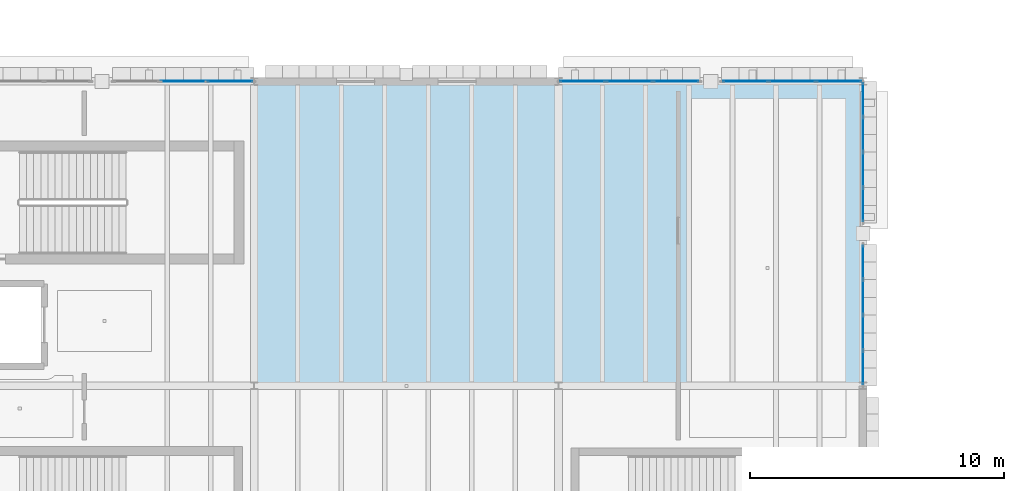
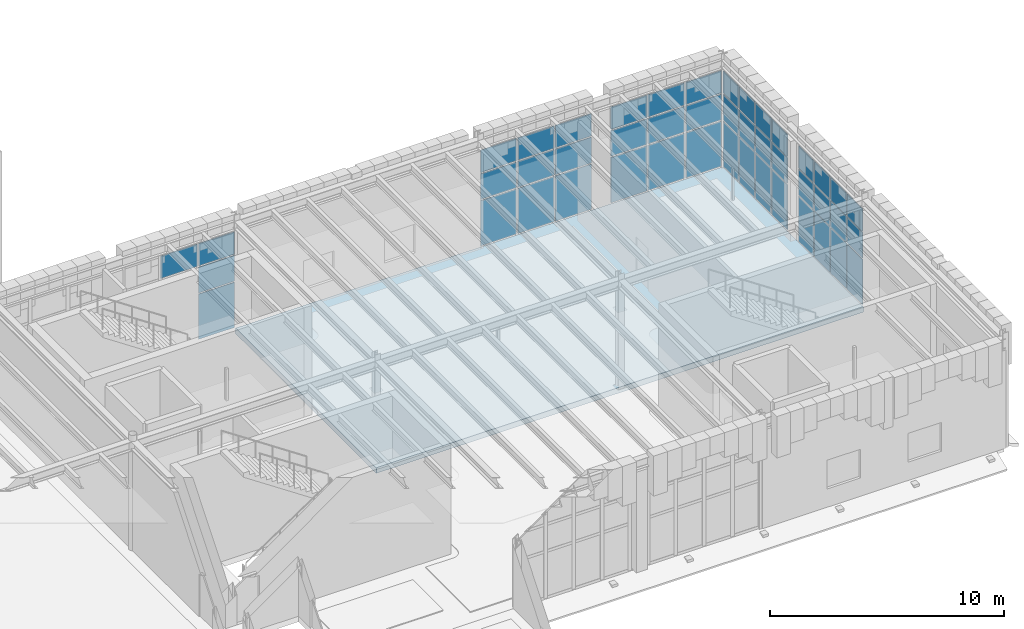
# One storey, part 43 of 83: 46 plates, 1 slab, 5 elements without a shape of their own.
"""IFC4 building model written with IfcOpenShell, lengths in metres."""

from ifc_helpers import new_model, si_unit, direction, frame, origin, origin_2d, place, context, subcontext, project, spatial, polyline, rectangle, outline, extrude, material, layer, layer_set, type_object, element, aggregate, save


model = new_model("IFC4")

# Units and contexts
model_context = context("Model", 3, precision=1e-05, world=origin(), true_north=direction((0.0, 1.0)))
body_context = subcontext(model_context, "Body", "Model", "MODEL_VIEW")
ifc_project = project(units=[si_unit("LENGTHUNIT", "METRE"), si_unit("AREAUNIT", "SQUARE_METRE"), si_unit("VOLUMEUNIT", "CUBIC_METRE"), si_unit("PLANEANGLEUNIT", "RADIAN"), si_unit("MASSUNIT", "GRAM", prefix="KILO")], contexts=[model_context])

# Site, building, storey
site_placement = place(None, origin())
site = spatial("IfcSite", under=ifc_project, at=site_placement, CompositionType="ELEMENT")
building_placement = place(site_placement, origin())
building = spatial("IfcBuilding", under=site, at=building_placement, Name="Zlatogorsky Bluff Art Gallery", CompositionType="ELEMENT")
storey_placement = place(building_placement, frame((0.0, 0.0, 10.800048828125)))
storey = spatial("IfcBuildingStorey", under=building, at=storey_placement, Name="L02", CompositionType="ELEMENT", Elevation=10.800048828125)

# Curtain wall, plates
ifc_material_1 = material(Name="Anodised Bronze Aluminium and Low-Iron Triple Glazing", Category="aluminium")
ifc_layer_1 = layer(ifc_material_1, 0.219970703125)
ifc_layer_set_1 = layer_set([ifc_layer_1], Name="Curtain Wall CW-04")
curtain_wall_type_1 = type_object("IfcCurtainWallType", Name="Curtain Wall CW-04", PredefinedType="USERDEFINED", material=ifc_layer_set_1)
curtain_wall_1_placement = place(storey_placement, origin())
curtain_wall_1 = element("IfcCurtainWall", 1, at=curtain_wall_1_placement, inside=storey, type_object=curtain_wall_type_1, Name="Unitised curtain wall CW-04 L02 N 10.9-A", ObjectType="CURTAIN WALL", PredefinedType="USERDEFINED")
ifc_material_2 = material(Name="Low-Iron Laminated Triple Glazing", Category="glass")
ifc_layer_2 = layer(ifc_material_2, 0.035888671875)
ifc_layer_set_2 = layer_set([ifc_layer_2], Name="Glazed Curtain Panel CWP-01")
plate_type = type_object("IfcPlateType", Name="Glazed Curtain Panel CWP-01", PredefinedType="CURTAIN_PANEL", material=ifc_layer_set_2)
plate_1_placement = place(storey_placement, frame((131.0537109375, 108.0, 0.06494140625), z_axis=(0.0, 0.0, 1.0), x_axis=(-1.0, 0.0, 0.0)))
plate_1 = element("IfcPlate", 2, at=plate_1_placement, type_object=plate_type, Name="CW-04 panel 1.1", PredefinedType="CURTAIN_PANEL", context=body_context, shape_type="SweptSolid", body=[
    extrude(rectangle(XDim=1.762451171875, YDim=0.035888671875, at=origin_2d()), origin(), (0.0, 0.0, 1.0), 2.3525390625),
])
plate_2_placement = place(storey_placement, frame((131.0537109375, 108.0, 2.482421875), z_axis=(0.0, 0.0, 1.0), x_axis=(-1.0, 0.0, 0.0)))
plate_2 = element("IfcPlate", 3, at=plate_2_placement, type_object=plate_type, Name="CW-04 panel 1.2", PredefinedType="CURTAIN_PANEL", context=body_context, shape_type="SweptSolid", body=[
    extrude(rectangle(XDim=1.762451171875, YDim=0.035888671875, at=origin_2d()), origin(), (0.0, 0.0, 1.0), 1.3349609375),
])
plate_3_placement = place(storey_placement, frame((131.0537109375, 108.0, 3.88232421875), z_axis=(0.0, 0.0, 1.0), x_axis=(-1.0, 0.0, 0.0)))
plate_3 = element("IfcPlate", 4, at=plate_3_placement, type_object=plate_type, Name="CW-04 panel 1.3", PredefinedType="CURTAIN_PANEL", context=body_context, shape_type="SweptSolid", body=[
    extrude(rectangle(XDim=1.762451171875, YDim=0.035888671875, at=origin_2d()), origin(), (0.0, 0.0, 1.0), 1.16259765625),
])
plate_4_placement = place(storey_placement, frame((129.2099609375, 108.0, 3.88232421875), z_axis=(0.0, 0.0, 1.0), x_axis=(-1.0, 0.0, 0.0)))
plate_4 = element("IfcPlate", 5, at=plate_4_placement, type_object=plate_type, Name="CW-04 panel 2.3", PredefinedType="CURTAIN_PANEL", context=body_context, shape_type="SweptSolid", body=[
    extrude(rectangle(XDim=1.794921875, YDim=0.035888671875, at=origin_2d()), origin(), (0.0, 0.0, 1.0), 1.16259765625),
])
aggregate(curtain_wall_1, [plate_1, plate_2, plate_3, plate_4])

curtain_wall_2_placement = place(storey_placement, origin())
curtain_wall_2 = element("IfcCurtainWall", 6, at=curtain_wall_2_placement, inside=storey, type_object=curtain_wall_type_1, Name="Unitised curtain wall CW-04 L02 N 12.9-A", ObjectType="CURTAIN WALL", PredefinedType="USERDEFINED")
plate_5_placement = place(storey_placement, frame((155.0537109375, 108.0, 0.06494140625), z_axis=(0.0, 0.0, 1.0), x_axis=(-1.0, 0.0, 0.0)))
plate_5 = element("IfcPlate", 7, at=plate_5_placement, type_object=plate_type, Name="CW-04 panel 1.1", PredefinedType="CURTAIN_PANEL", context=body_context, shape_type="SweptSolid", body=[
    extrude(rectangle(XDim=1.762451171875, YDim=0.035888671875, at=origin_2d()), origin(), (0.0, 0.0, 1.0), 2.3525390625),
])
plate_6_placement = place(storey_placement, frame((155.0537109375, 108.0, 2.482421875), z_axis=(0.0, 0.0, 1.0), x_axis=(-1.0, 0.0, 0.0)))
plate_6 = element("IfcPlate", 8, at=plate_6_placement, type_object=plate_type, Name="CW-04 panel 1.2", PredefinedType="CURTAIN_PANEL", context=body_context, shape_type="SweptSolid", body=[
    extrude(rectangle(XDim=1.762451171875, YDim=0.035888671875, at=origin_2d()), origin(), (0.0, 0.0, 1.0), 1.3349609375),
])
plate_7_placement = place(storey_placement, frame((155.0537109375, 108.0, 3.88232421875), z_axis=(0.0, 0.0, 1.0), x_axis=(-1.0, 0.0, 0.0)))
plate_7 = element("IfcPlate", 9, at=plate_7_placement, type_object=plate_type, Name="CW-04 panel 1.3", PredefinedType="CURTAIN_PANEL", context=body_context, shape_type="SweptSolid", body=[
    extrude(rectangle(XDim=1.762451171875, YDim=0.035888671875, at=origin_2d()), origin(), (0.0, 0.0, 1.0), 1.16259765625),
])
plate_8_placement = place(storey_placement, frame((153.2099609375, 108.0, 0.06494140625), z_axis=(0.0, 0.0, 1.0), x_axis=(-1.0, 0.0, 0.0)))
plate_8 = element("IfcPlate", 10, at=plate_8_placement, type_object=plate_type, Name="CW-04 panel 2.1", PredefinedType="CURTAIN_PANEL", context=body_context, shape_type="SweptSolid", body=[
    extrude(rectangle(XDim=1.794921875, YDim=0.035888671875, at=origin_2d()), origin(), (0.0, 0.0, 1.0), 2.3525390625),
])
plate_9_placement = place(storey_placement, frame((153.2099609375, 108.0, 2.482421875), z_axis=(0.0, 0.0, 1.0), x_axis=(-1.0, 0.0, 0.0)))
plate_9 = element("IfcPlate", 11, at=plate_9_placement, type_object=plate_type, Name="CW-04 panel 2.2", PredefinedType="CURTAIN_PANEL", context=body_context, shape_type="SweptSolid", body=[
    extrude(rectangle(XDim=1.794921875, YDim=0.035888671875, at=origin_2d()), origin(), (0.0, 0.0, 1.0), 1.3349609375),
])
plate_10_placement = place(storey_placement, frame((153.2099609375, 108.0, 3.88232421875), z_axis=(0.0, 0.0, 1.0), x_axis=(-1.0, 0.0, 0.0)))
plate_10 = element("IfcPlate", 12, at=plate_10_placement, type_object=plate_type, Name="CW-04 panel 2.3", PredefinedType="CURTAIN_PANEL", context=body_context, shape_type="SweptSolid", body=[
    extrude(rectangle(XDim=1.794921875, YDim=0.035888671875, at=origin_2d()), origin(), (0.0, 0.0, 1.0), 1.16259765625),
])
plate_11_placement = place(storey_placement, frame((151.3662109375, 108.0, 0.06494140625), z_axis=(0.0, 0.0, 1.0), x_axis=(-1.0, 0.0, 0.0)))
plate_11 = element("IfcPlate", 13, at=plate_11_placement, type_object=plate_type, Name="CW-04 panel 3.1", PredefinedType="CURTAIN_PANEL", context=body_context, shape_type="SweptSolid", body=[
    extrude(rectangle(XDim=1.762451171875, YDim=0.035888671875, at=origin_2d()), origin(), (0.0, 0.0, 1.0), 2.3525390625),
])
plate_12_placement = place(storey_placement, frame((151.3662109375, 108.0, 2.482421875), z_axis=(0.0, 0.0, 1.0), x_axis=(-1.0, 0.0, 0.0)))
plate_12 = element("IfcPlate", 14, at=plate_12_placement, type_object=plate_type, Name="CW-04 panel 3.2", PredefinedType="CURTAIN_PANEL", context=body_context, shape_type="SweptSolid", body=[
    extrude(rectangle(XDim=1.762451171875, YDim=0.035888671875, at=origin_2d()), origin(), (0.0, 0.0, 1.0), 1.3349609375),
])
plate_13_placement = place(storey_placement, frame((151.3662109375, 108.0, 3.88232421875), z_axis=(0.0, 0.0, 1.0), x_axis=(-1.0, 0.0, 0.0)))
plate_13 = element("IfcPlate", 15, at=plate_13_placement, type_object=plate_type, Name="CW-04 panel 3.3", PredefinedType="CURTAIN_PANEL", context=body_context, shape_type="SweptSolid", body=[
    extrude(rectangle(XDim=1.762451171875, YDim=0.035888671875, at=origin_2d()), origin(), (0.0, 0.0, 1.0), 1.16259765625),
])
aggregate(curtain_wall_2, [plate_5, plate_6, plate_7, plate_8, plate_9, plate_10, plate_11, plate_12, plate_13])

curtain_wall_3_placement = place(storey_placement, origin())
curtain_wall_3 = element("IfcCurtainWall", 16, at=curtain_wall_3_placement, inside=storey, type_object=curtain_wall_type_1, Name="Unitised curtain wall CW-04 L02 N 12.9-B", ObjectType="CURTAIN WALL", PredefinedType="USERDEFINED")
plate_14_placement = place(storey_placement, frame((148.6337890625, 108.0, 0.06494140625), z_axis=(0.0, 0.0, 1.0), x_axis=(-1.0, 0.0, 0.0)))
plate_14 = element("IfcPlate", 17, at=plate_14_placement, type_object=plate_type, Name="CW-04 panel 1.1", PredefinedType="CURTAIN_PANEL", context=body_context, shape_type="SweptSolid", body=[
    extrude(rectangle(XDim=1.762451171875, YDim=0.035888671875, at=origin_2d()), origin(), (0.0, 0.0, 1.0), 2.3525390625),
])
plate_15_placement = place(storey_placement, frame((148.6337890625, 108.0, 2.482421875), z_axis=(0.0, 0.0, 1.0), x_axis=(-1.0, 0.0, 0.0)))
plate_15 = element("IfcPlate", 18, at=plate_15_placement, type_object=plate_type, Name="CW-04 panel 1.2", PredefinedType="CURTAIN_PANEL", context=body_context, shape_type="SweptSolid", body=[
    extrude(rectangle(XDim=1.762451171875, YDim=0.035888671875, at=origin_2d()), origin(), (0.0, 0.0, 1.0), 1.3349609375),
])
plate_16_placement = place(storey_placement, frame((148.6337890625, 108.0, 3.88232421875), z_axis=(0.0, 0.0, 1.0), x_axis=(-1.0, 0.0, 0.0)))
plate_16 = element("IfcPlate", 19, at=plate_16_placement, type_object=plate_type, Name="CW-04 panel 1.3", PredefinedType="CURTAIN_PANEL", context=body_context, shape_type="SweptSolid", body=[
    extrude(rectangle(XDim=1.762451171875, YDim=0.035888671875, at=origin_2d()), origin(), (0.0, 0.0, 1.0), 1.16259765625),
])
plate_17_placement = place(storey_placement, frame((146.7900390625, 108.0, 0.06494140625), z_axis=(0.0, 0.0, 1.0), x_axis=(-1.0, 0.0, 0.0)))
plate_17 = element("IfcPlate", 20, at=plate_17_placement, type_object=plate_type, Name="CW-04 panel 2.1", PredefinedType="CURTAIN_PANEL", context=body_context, shape_type="SweptSolid", body=[
    extrude(rectangle(XDim=1.794921875, YDim=0.035888671875, at=origin_2d()), origin(), (0.0, 0.0, 1.0), 2.3525390625),
])
plate_18_placement = place(storey_placement, frame((146.7900390625, 108.0, 2.482421875), z_axis=(0.0, 0.0, 1.0), x_axis=(-1.0, 0.0, 0.0)))
plate_18 = element("IfcPlate", 21, at=plate_18_placement, type_object=plate_type, Name="CW-04 panel 2.2", PredefinedType="CURTAIN_PANEL", context=body_context, shape_type="SweptSolid", body=[
    extrude(rectangle(XDim=1.794921875, YDim=0.035888671875, at=origin_2d()), origin(), (0.0, 0.0, 1.0), 1.3349609375),
])
plate_19_placement = place(storey_placement, frame((146.7900390625, 108.0, 3.88232421875), z_axis=(0.0, 0.0, 1.0), x_axis=(-1.0, 0.0, 0.0)))
plate_19 = element("IfcPlate", 22, at=plate_19_placement, type_object=plate_type, Name="CW-04 panel 2.3", PredefinedType="CURTAIN_PANEL", context=body_context, shape_type="SweptSolid", body=[
    extrude(rectangle(XDim=1.794921875, YDim=0.035888671875, at=origin_2d()), origin(), (0.0, 0.0, 1.0), 1.16259765625),
])
plate_20_placement = place(storey_placement, frame((144.9462890625, 108.0, 0.06494140625), z_axis=(0.0, 0.0, 1.0), x_axis=(-1.0, 0.0, 0.0)))
plate_20 = element("IfcPlate", 23, at=plate_20_placement, type_object=plate_type, Name="CW-04 panel 3.1", PredefinedType="CURTAIN_PANEL", context=body_context, shape_type="SweptSolid", body=[
    extrude(rectangle(XDim=1.762451171875, YDim=0.035888671875, at=origin_2d()), origin(), (0.0, 0.0, 1.0), 2.3525390625),
])
plate_21_placement = place(storey_placement, frame((144.9462890625, 108.0, 2.482421875), z_axis=(0.0, 0.0, 1.0), x_axis=(-1.0, 0.0, 0.0)))
plate_21 = element("IfcPlate", 24, at=plate_21_placement, type_object=plate_type, Name="CW-04 panel 3.2", PredefinedType="CURTAIN_PANEL", context=body_context, shape_type="SweptSolid", body=[
    extrude(rectangle(XDim=1.762451171875, YDim=0.035888671875, at=origin_2d()), origin(), (0.0, 0.0, 1.0), 1.3349609375),
])
plate_22_placement = place(storey_placement, frame((144.9462890625, 108.0, 3.88232421875), z_axis=(0.0, 0.0, 1.0), x_axis=(-1.0, 0.0, 0.0)))
plate_22 = element("IfcPlate", 25, at=plate_22_placement, type_object=plate_type, Name="CW-04 panel 3.3", PredefinedType="CURTAIN_PANEL", context=body_context, shape_type="SweptSolid", body=[
    extrude(rectangle(XDim=1.762451171875, YDim=0.035888671875, at=origin_2d()), origin(), (0.0, 0.0, 1.0), 1.16259765625),
])
aggregate(curtain_wall_3, [plate_14, plate_15, plate_16, plate_17, plate_18, plate_19, plate_20, plate_21, plate_22])

ifc_layer_3 = layer(ifc_material_1, 0.199951171875)
ifc_layer_set_3 = layer_set([ifc_layer_3], Name="Curtain Wall CW-02")
curtain_wall_type_2 = type_object("IfcCurtainWallType", Name="Curtain Wall CW-02", PredefinedType="USERDEFINED", material=ifc_layer_set_3)
curtain_wall_4_placement = place(storey_placement, origin())
curtain_wall_4 = element("IfcCurtainWall", 26, at=curtain_wall_4_placement, inside=storey, type_object=curtain_wall_type_2, Name="Unitised curtain wall CW-02 L02 E 12.9-A", ObjectType="CURTAIN WALL", PredefinedType="USERDEFINED")
plate_23_placement = place(storey_placement, frame((156.0, 96.7138671875, 0.06494140625), z_axis=(0.0, 0.0, 1.0), x_axis=(0.0, 1.0, 0.0)))
plate_23 = element("IfcPlate", 27, at=plate_23_placement, type_object=plate_type, Name="CW-02 panel 1.1", PredefinedType="CURTAIN_PANEL", context=body_context, shape_type="SweptSolid", body=[
    extrude(rectangle(XDim=1.297607421875, YDim=0.035888671875, at=origin_2d()), origin(), (0.0, 0.0, 1.0), 2.3525390625),
])
plate_24_placement = place(storey_placement, frame((156.0, 96.7138671875, 2.482421875), z_axis=(0.0, 0.0, 1.0), x_axis=(0.0, 1.0, 0.0)))
plate_24 = element("IfcPlate", 28, at=plate_24_placement, type_object=plate_type, Name="CW-02 panel 1.2", PredefinedType="CURTAIN_PANEL", context=body_context, shape_type="SweptSolid", body=[
    extrude(rectangle(XDim=1.297607421875, YDim=0.035888671875, at=origin_2d()), origin(), (0.0, 0.0, 1.0), 1.3349609375),
])
plate_25_placement = place(storey_placement, frame((156.0, 96.7138671875, 3.88232421875), z_axis=(0.0, 0.0, 1.0), x_axis=(0.0, 1.0, 0.0)))
plate_25 = element("IfcPlate", 29, at=plate_25_placement, type_object=plate_type, Name="CW-02 panel 1.3", PredefinedType="CURTAIN_PANEL", context=body_context, shape_type="SweptSolid", body=[
    extrude(rectangle(XDim=1.297607421875, YDim=0.035888671875, at=origin_2d()), origin(), (0.0, 0.0, 1.0), 1.16259765625),
])
plate_26_placement = place(storey_placement, frame((156.0, 98.092529296875, 0.06494140625), z_axis=(0.0, 0.0, 1.0), x_axis=(0.0, 1.0, 0.0)))
plate_26 = element("IfcPlate", 30, at=plate_26_placement, type_object=plate_type, Name="CW-02 panel 2.1", PredefinedType="CURTAIN_PANEL", context=body_context, shape_type="SweptSolid", body=[
    extrude(rectangle(XDim=1.330078125, YDim=0.035888671875, at=origin_2d()), origin(), (0.0, 0.0, 1.0), 2.3525390625),
])
plate_27_placement = place(storey_placement, frame((156.0, 98.092529296875, 2.482421875), z_axis=(0.0, 0.0, 1.0), x_axis=(0.0, 1.0, 0.0)))
plate_27 = element("IfcPlate", 31, at=plate_27_placement, type_object=plate_type, Name="CW-02 panel 2.2", PredefinedType="CURTAIN_PANEL", context=body_context, shape_type="SweptSolid", body=[
    extrude(rectangle(XDim=1.330078125, YDim=0.035888671875, at=origin_2d()), origin(), (0.0, 0.0, 1.0), 1.3349609375),
])
plate_28_placement = place(storey_placement, frame((156.0, 98.092529296875, 3.88232421875), z_axis=(0.0, 0.0, 1.0), x_axis=(0.0, 1.0, 0.0)))
plate_28 = element("IfcPlate", 32, at=plate_28_placement, type_object=plate_type, Name="CW-02 panel 2.3", PredefinedType="CURTAIN_PANEL", context=body_context, shape_type="SweptSolid", body=[
    extrude(rectangle(XDim=1.330078125, YDim=0.035888671875, at=origin_2d()), origin(), (0.0, 0.0, 1.0), 1.16259765625),
])
plate_29_placement = place(storey_placement, frame((156.0, 99.487548828125, 0.06494140625), z_axis=(0.0, 0.0, 1.0), x_axis=(0.0, 1.0, 0.0)))
plate_29 = element("IfcPlate", 33, at=plate_29_placement, type_object=plate_type, Name="CW-02 panel 3.1", PredefinedType="CURTAIN_PANEL", context=body_context, shape_type="SweptSolid", body=[
    extrude(rectangle(XDim=1.330078125, YDim=0.035888671875, at=origin_2d()), origin(), (0.0, 0.0, 1.0), 2.3525390625),
])
plate_30_placement = place(storey_placement, frame((156.0, 99.487548828125, 2.482421875), z_axis=(0.0, 0.0, 1.0), x_axis=(0.0, 1.0, 0.0)))
plate_30 = element("IfcPlate", 34, at=plate_30_placement, type_object=plate_type, Name="CW-02 panel 3.2", PredefinedType="CURTAIN_PANEL", context=body_context, shape_type="SweptSolid", body=[
    extrude(rectangle(XDim=1.330078125, YDim=0.035888671875, at=origin_2d()), origin(), (0.0, 0.0, 1.0), 1.3349609375),
])
plate_31_placement = place(storey_placement, frame((156.0, 99.487548828125, 3.88232421875), z_axis=(0.0, 0.0, 1.0), x_axis=(0.0, 1.0, 0.0)))
plate_31 = element("IfcPlate", 35, at=plate_31_placement, type_object=plate_type, Name="CW-02 panel 3.3", PredefinedType="CURTAIN_PANEL", context=body_context, shape_type="SweptSolid", body=[
    extrude(rectangle(XDim=1.330078125, YDim=0.035888671875, at=origin_2d()), origin(), (0.0, 0.0, 1.0), 1.16259765625),
])
plate_32_placement = place(storey_placement, frame((156.0, 100.8662109375, 0.06494140625), z_axis=(0.0, 0.0, 1.0), x_axis=(0.0, 1.0, 0.0)))
plate_32 = element("IfcPlate", 36, at=plate_32_placement, type_object=plate_type, Name="CW-02 panel 4.1", PredefinedType="CURTAIN_PANEL", context=body_context, shape_type="SweptSolid", body=[
    extrude(rectangle(XDim=1.297607421875, YDim=0.035888671875, at=origin_2d()), origin(), (0.0, 0.0, 1.0), 2.3525390625),
])
plate_33_placement = place(storey_placement, frame((156.0, 100.8662109375, 2.482421875), z_axis=(0.0, 0.0, 1.0), x_axis=(0.0, 1.0, 0.0)))
plate_33 = element("IfcPlate", 37, at=plate_33_placement, type_object=plate_type, Name="CW-02 panel 4.2", PredefinedType="CURTAIN_PANEL", context=body_context, shape_type="SweptSolid", body=[
    extrude(rectangle(XDim=1.297607421875, YDim=0.035888671875, at=origin_2d()), origin(), (0.0, 0.0, 1.0), 1.3349609375),
])
plate_34_placement = place(storey_placement, frame((156.0, 100.8662109375, 3.88232421875), z_axis=(0.0, 0.0, 1.0), x_axis=(0.0, 1.0, 0.0)))
plate_34 = element("IfcPlate", 38, at=plate_34_placement, type_object=plate_type, Name="CW-02 panel 4.3", PredefinedType="CURTAIN_PANEL", context=body_context, shape_type="SweptSolid", body=[
    extrude(rectangle(XDim=1.297607421875, YDim=0.035888671875, at=origin_2d()), origin(), (0.0, 0.0, 1.0), 1.16259765625),
])
aggregate(curtain_wall_4, [plate_23, plate_24, plate_25, plate_26, plate_27, plate_28, plate_29, plate_30, plate_31, plate_32, plate_33, plate_34])

curtain_wall_5_placement = place(storey_placement, origin())
curtain_wall_5 = element("IfcCurtainWall", 39, at=curtain_wall_5_placement, inside=storey, type_object=curtain_wall_type_2, Name="Unitised curtain wall CW-02 L02 E 12.9-B", ObjectType="CURTAIN WALL", PredefinedType="USERDEFINED")
plate_35_placement = place(storey_placement, frame((156.0, 103.1337890625, 0.06494140625), z_axis=(0.0, 0.0, 1.0), x_axis=(0.0, 1.0, 0.0)))
plate_35 = element("IfcPlate", 40, at=plate_35_placement, type_object=plate_type, Name="CW-02 panel 1.1", PredefinedType="CURTAIN_PANEL", context=body_context, shape_type="SweptSolid", body=[
    extrude(rectangle(XDim=1.297607421875, YDim=0.035888671875, at=origin_2d()), origin(), (0.0, 0.0, 1.0), 2.3525390625),
])
plate_36_placement = place(storey_placement, frame((156.0, 103.1337890625, 2.482421875), z_axis=(0.0, 0.0, 1.0), x_axis=(0.0, 1.0, 0.0)))
plate_36 = element("IfcPlate", 41, at=plate_36_placement, type_object=plate_type, Name="CW-02 panel 1.2", PredefinedType="CURTAIN_PANEL", context=body_context, shape_type="SweptSolid", body=[
    extrude(rectangle(XDim=1.297607421875, YDim=0.035888671875, at=origin_2d()), origin(), (0.0, 0.0, 1.0), 1.3349609375),
])
plate_37_placement = place(storey_placement, frame((156.0, 103.1337890625, 3.88232421875), z_axis=(0.0, 0.0, 1.0), x_axis=(0.0, 1.0, 0.0)))
plate_37 = element("IfcPlate", 42, at=plate_37_placement, type_object=plate_type, Name="CW-02 panel 1.3", PredefinedType="CURTAIN_PANEL", context=body_context, shape_type="SweptSolid", body=[
    extrude(rectangle(XDim=1.297607421875, YDim=0.035888671875, at=origin_2d()), origin(), (0.0, 0.0, 1.0), 1.16259765625),
])
plate_38_placement = place(storey_placement, frame((156.0, 104.512451171875, 0.06494140625), z_axis=(0.0, 0.0, 1.0), x_axis=(0.0, 1.0, 0.0)))
plate_38 = element("IfcPlate", 43, at=plate_38_placement, type_object=plate_type, Name="CW-02 panel 2.1", PredefinedType="CURTAIN_PANEL", context=body_context, shape_type="SweptSolid", body=[
    extrude(rectangle(XDim=1.330078125, YDim=0.035888671875, at=origin_2d()), origin(), (0.0, 0.0, 1.0), 2.3525390625),
])
plate_39_placement = place(storey_placement, frame((156.0, 104.512451171875, 2.482421875), z_axis=(0.0, 0.0, 1.0), x_axis=(0.0, 1.0, 0.0)))
plate_39 = element("IfcPlate", 44, at=plate_39_placement, type_object=plate_type, Name="CW-02 panel 2.2", PredefinedType="CURTAIN_PANEL", context=body_context, shape_type="SweptSolid", body=[
    extrude(rectangle(XDim=1.330078125, YDim=0.035888671875, at=origin_2d()), origin(), (0.0, 0.0, 1.0), 1.3349609375),
])
plate_40_placement = place(storey_placement, frame((156.0, 104.512451171875, 3.88232421875), z_axis=(0.0, 0.0, 1.0), x_axis=(0.0, 1.0, 0.0)))
plate_40 = element("IfcPlate", 45, at=plate_40_placement, type_object=plate_type, Name="CW-02 panel 2.3", PredefinedType="CURTAIN_PANEL", context=body_context, shape_type="SweptSolid", body=[
    extrude(rectangle(XDim=1.330078125, YDim=0.035888671875, at=origin_2d()), origin(), (0.0, 0.0, 1.0), 1.16259765625),
])
plate_41_placement = place(storey_placement, frame((156.0, 105.907470703125, 0.06494140625), z_axis=(0.0, 0.0, 1.0), x_axis=(0.0, 1.0, 0.0)))
plate_41 = element("IfcPlate", 46, at=plate_41_placement, type_object=plate_type, Name="CW-02 panel 3.1", PredefinedType="CURTAIN_PANEL", context=body_context, shape_type="SweptSolid", body=[
    extrude(rectangle(XDim=1.330078125, YDim=0.035888671875, at=origin_2d()), origin(), (0.0, 0.0, 1.0), 2.3525390625),
])
plate_42_placement = place(storey_placement, frame((156.0, 105.907470703125, 2.482421875), z_axis=(0.0, 0.0, 1.0), x_axis=(0.0, 1.0, 0.0)))
plate_42 = element("IfcPlate", 47, at=plate_42_placement, type_object=plate_type, Name="CW-02 panel 3.2", PredefinedType="CURTAIN_PANEL", context=body_context, shape_type="SweptSolid", body=[
    extrude(rectangle(XDim=1.330078125, YDim=0.035888671875, at=origin_2d()), origin(), (0.0, 0.0, 1.0), 1.3349609375),
])
plate_43_placement = place(storey_placement, frame((156.0, 105.907470703125, 3.88232421875), z_axis=(0.0, 0.0, 1.0), x_axis=(0.0, 1.0, 0.0)))
plate_43 = element("IfcPlate", 48, at=plate_43_placement, type_object=plate_type, Name="CW-02 panel 3.3", PredefinedType="CURTAIN_PANEL", context=body_context, shape_type="SweptSolid", body=[
    extrude(rectangle(XDim=1.330078125, YDim=0.035888671875, at=origin_2d()), origin(), (0.0, 0.0, 1.0), 1.16259765625),
])
plate_44_placement = place(storey_placement, frame((156.0, 107.2861328125, 0.06494140625), z_axis=(0.0, 0.0, 1.0), x_axis=(0.0, 1.0, 0.0)))
plate_44 = element("IfcPlate", 49, at=plate_44_placement, type_object=plate_type, Name="CW-02 panel 4.1", PredefinedType="CURTAIN_PANEL", context=body_context, shape_type="SweptSolid", body=[
    extrude(rectangle(XDim=1.297607421875, YDim=0.035888671875, at=origin_2d()), origin(), (0.0, 0.0, 1.0), 2.3525390625),
])
plate_45_placement = place(storey_placement, frame((156.0, 107.2861328125, 2.482421875), z_axis=(0.0, 0.0, 1.0), x_axis=(0.0, 1.0, 0.0)))
plate_45 = element("IfcPlate", 50, at=plate_45_placement, type_object=plate_type, Name="CW-02 panel 4.2", PredefinedType="CURTAIN_PANEL", context=body_context, shape_type="SweptSolid", body=[
    extrude(rectangle(XDim=1.297607421875, YDim=0.035888671875, at=origin_2d()), origin(), (0.0, 0.0, 1.0), 1.3349609375),
])
plate_46_placement = place(storey_placement, frame((156.0, 107.2861328125, 3.88232421875), z_axis=(0.0, 0.0, 1.0), x_axis=(0.0, 1.0, 0.0)))
plate_46 = element("IfcPlate", 51, at=plate_46_placement, type_object=plate_type, Name="CW-02 panel 4.3", PredefinedType="CURTAIN_PANEL", context=body_context, shape_type="SweptSolid", body=[
    extrude(rectangle(XDim=1.297607421875, YDim=0.035888671875, at=origin_2d()), origin(), (0.0, 0.0, 1.0), 1.16259765625),
])
aggregate(curtain_wall_5, [plate_35, plate_36, plate_37, plate_38, plate_39, plate_40, plate_41, plate_42, plate_43, plate_44, plate_45, plate_46])

# Slab
ifc_material_3 = material(Name="Concrete C30/37", Category="concrete")
ifc_layer_4 = layer(ifc_material_3, 0.2900390625)
ifc_layer_set_4 = layer_set([ifc_layer_4], Name="Slab SL-02 290mm")
slab_type = type_object("IfcSlabType", Name="Slab SL-02 290mm", PredefinedType="FLOOR", material=ifc_layer_set_4)
slab_placement = place(storey_placement, frame((0.0, 0.0, -0.2900390625)))
element("IfcSlab", 52, at=slab_placement, inside=storey, type_object=slab_type, Name="L02 structural floor slab panel 13", PredefinedType="FLOOR", context=body_context, shape_type="SweptSolid", body=[
    extrude(outline(polyline([(132.0, 108.0), (144.0, 108.0), (156.0, 108.0), (156.0, 96.0), (144.0, 96.0), (132.0, 96.0), (132.0, 108.0)])), origin(), (0.0, 0.0, 1.0), 0.2900390625),
])

save(model, "model.ifc")
